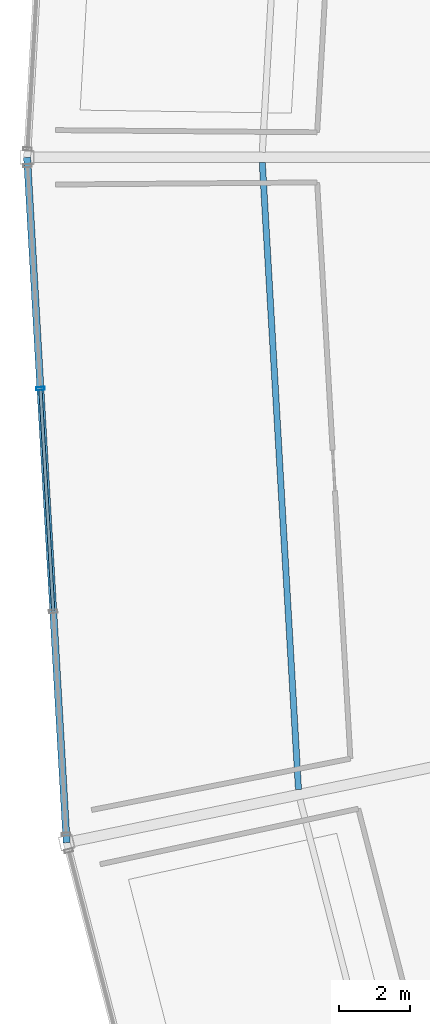
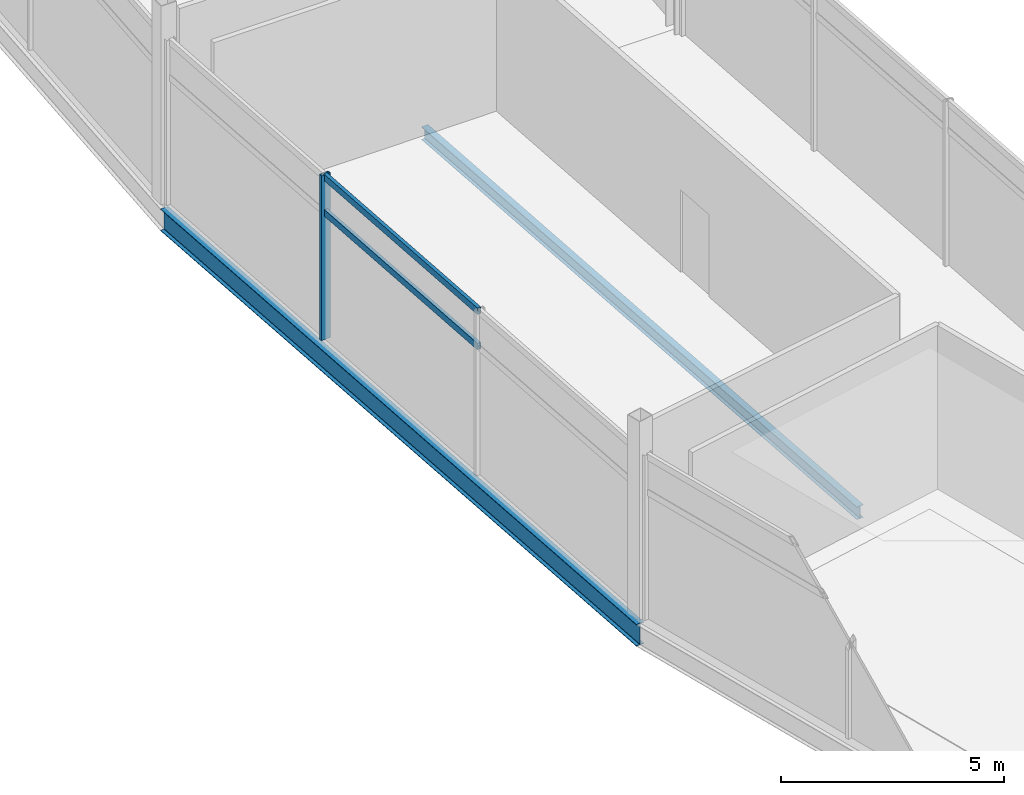
# One storey, part 38 of 86: 3 members, 2 beams, 1 element without a shape of its own.
"""IFC4 building model written with IfcOpenShell, lengths in metres."""

from ifc_helpers import new_model, si_unit, direction, frame, origin, origin_2d, place, context, subcontext, project, spatial, hollow_rectangle, i_section, extrude, material, layer, layer_set, material_profile, profile_set, type_object, element, aggregate, save


model = new_model("IFC4")

# Units and contexts
model_context = context("Model", 3, precision=1e-05, world=origin(), true_north=direction((0.0, 1.0)))
body_context = subcontext(model_context, "Body", "Model", "MODEL_VIEW")
ifc_project = project(units=[si_unit("LENGTHUNIT", "METRE"), si_unit("AREAUNIT", "SQUARE_METRE"), si_unit("VOLUMEUNIT", "CUBIC_METRE"), si_unit("PLANEANGLEUNIT", "RADIAN"), si_unit("MASSUNIT", "GRAM", prefix="KILO")], contexts=[model_context])

# Site, building, storey
site_placement = place(None, origin())
site = spatial("IfcSite", under=ifc_project, at=site_placement, CompositionType="ELEMENT")
building_placement = place(site_placement, origin())
building = spatial("IfcBuilding", under=site, at=building_placement, Name="Kazemori Nagisa Stadium", CompositionType="ELEMENT")
storey_placement = place(building_placement, frame((0.0, 0.0, 31.280029296875)))
storey = spatial("IfcBuildingStorey", under=building, at=storey_placement, Name="L06", CompositionType="ELEMENT", Elevation=31.280029296875)

# Beams
ifc_material_1 = material(Name="Steel SN490B", Category="steel")
ifc_material_profile_1 = material_profile(ifc_material_1, i_section(OverallWidth=0.175048828125, OverallDepth=0.35009765625, WebThickness=0.007080078125, FlangeThickness=0.010986328125, FilletRadius=0.012939453125, at=origin_2d()), Name="H-350x175x7x11")
ifc_profile_set_1 = profile_set([ifc_material_profile_1], Name="Steel SN490B")
beam_type_1 = type_object("IfcBeamType", Name="Beam_BJ-H350", PredefinedType="JOIST", material=ifc_profile_set_1)
beam_1_placement = place(storey_placement, frame((34.658447265625, 101.855224609375, -0.43505859375), z_axis=(0.057603114818, -0.998339562055, 0.0), x_axis=(0.998339562055, 0.057603114818, 0.0)))
element("IfcBeam", 1, at=beam_1_placement, inside=storey, type_object=beam_type_1, Name="Outer bay joist BJ-H350 L06 B15", PredefinedType="JOIST", context=body_context, shape_type="SweptSolid", body=[
    extrude(i_section(OverallWidth=0.175048828125, OverallDepth=0.35009765625, WebThickness=0.007080078125, FlangeThickness=0.010986328125, FilletRadius=0.012939453125, at=origin_2d()), origin(), (0.0, 0.0, 1.0), 17.77978515625),
])
ifc_material_profile_2 = material_profile(ifc_material_1, i_section(OverallWidth=0.199951171875, OverallDepth=0.60009765625, WebThickness=0.010986328125, FlangeThickness=0.01708984375, FilletRadius=0.012939453125, at=origin_2d()), Name="H-600x200x11x17")
ifc_profile_set_2 = profile_set([ifc_material_profile_2], Name="Steel SN490B")
beam_type_2 = type_object("IfcBeamType", Name="Beam_BS-H600", PredefinedType="SPANDREL", material=ifc_profile_set_2)
beam_2_placement = place(storey_placement, frame((28.0, 102.0, -0.56005859375), z_axis=(0.057598702622, -0.998339816624, 0.0), x_axis=(0.998339816624, 0.057598702622, 0.0)))
element("IfcBeam", 2, at=beam_2_placement, inside=storey, type_object=beam_type_2, Name="Ring girder BS-H600 L06 R3-15", PredefinedType="SPANDREL", context=body_context, shape_type="SweptSolid", body=[
    extrude(i_section(OverallWidth=0.199951171875, OverallDepth=0.60009765625, WebThickness=0.010986328125, FlangeThickness=0.01708984375, FilletRadius=0.012939453125, at=origin_2d()), origin(), (0.0, 0.0, 1.0), 19.429931640625),
])

# Curtain wall, members
ifc_material_2 = material(Name="Anodised aluminium 6063-T5", Category="aluminium")
ifc_layer = layer(ifc_material_2, 0.239990234375, Name="Anodised aluminium 6063-T5", Category="aluminium")
ifc_layer_set = layer_set([ifc_layer], Name="Anodised aluminium 6063-T5")
curtain_wall_type = type_object("IfcCurtainWallType", Name="CW_L06R3_95", PredefinedType="USERDEFINED", material=ifc_layer_set)
curtain_wall_placement = place(storey_placement, origin())
curtain_wall = element("IfcCurtainWall", 3, at=curtain_wall_placement, inside=storey, type_object=curtain_wall_type, Name="Unitised curtain wall CW-L06R3-95 L06", ObjectType="UNITISED CURTAIN WALL", PredefinedType="USERDEFINED")
ifc_material_3 = material(Name="Aluminium 6063-T5 anodised", Category="aluminium")
ifc_material_profile_3 = material_profile(ifc_material_3, hollow_rectangle(XDim=0.090087890625, YDim=0.239990234375, WallThickness=0.0048828125, at=origin_2d()), Name="ALU-MULL-90x240x5")
ifc_profile_set_3 = profile_set([ifc_material_profile_3], Name="Aluminium 6063-T5 anodised")
member_type_1 = type_object("IfcMemberType", Name="Mullion_M03", PredefinedType="MULLION", material=ifc_profile_set_3)
member_1_placement = place(storey_placement, frame((28.377685546875, 95.455810546875, 0.0), z_axis=(0.0, 0.0, 1.0), x_axis=(0.057601670941, -0.998339645364, 0.0)))
member_1 = element("IfcMember", 4, at=member_1_placement, type_object=member_type_1, Name="Curtain wall mullion CW-L06R3-95-M2", PredefinedType="MULLION", context=body_context, shape_type="SweptSolid", body=[
    extrude(hollow_rectangle(XDim=0.090087890625, YDim=0.239990234375, WallThickness=0.0048828125, at=origin_2d()), origin(), (0.0, 0.0, 1.0), 4.510009765625),
])
ifc_material_profile_4 = material_profile(ifc_material_3, hollow_rectangle(XDim=0.090087890625, YDim=0.179931640625, WallThickness=0.0048828125, at=origin_2d()), Name="ALU-TRAN-90x180x5")
ifc_profile_set_4 = profile_set([ifc_material_profile_4], Name="Aluminium 6063-T5 anodised")
member_type_2 = type_object("IfcMemberType", Name="Transom_T03", PredefinedType="USERDEFINED", material=ifc_profile_set_4)
member_2_placement = place(storey_placement, frame((28.378662109375, 95.43603515625, 3.47265625), z_axis=(0.057612182374, -0.998339038825, 0.0), x_axis=(0.998339038825, 0.057612182374, 0.0)))
member_2 = element("IfcMember", 5, at=member_2_placement, type_object=member_type_2, Name="Curtain wall transom CW-L06R3-95-T2-mid", ObjectType="TRANSOM", PredefinedType="USERDEFINED", context=body_context, shape_type="SweptSolid", body=[
    extrude(hollow_rectangle(XDim=0.090087890625, YDim=0.179931640625, WallThickness=0.0048828125, at=origin_2d()), origin(), (0.0, 0.0, 1.0), 6.2802734375),
])
member_3_placement = place(storey_placement, frame((28.378662109375, 95.43603515625, 4.43994140625), z_axis=(0.057612182374, -0.998339038825, 0.0), x_axis=(0.998339038825, 0.057612182374, 0.0)))
member_3 = element("IfcMember", 6, at=member_3_placement, type_object=member_type_2, Name="Curtain wall transom CW-L06R3-95-T2-head", ObjectType="TRANSOM", PredefinedType="USERDEFINED", context=body_context, shape_type="SweptSolid", body=[
    extrude(hollow_rectangle(XDim=0.090087890625, YDim=0.179931640625, WallThickness=0.0048828125, at=origin_2d()), origin(), (0.0, 0.0, 1.0), 6.2802734375),
])
aggregate(curtain_wall, [member_1, member_2, member_3])

save(model, "model.ifc")
